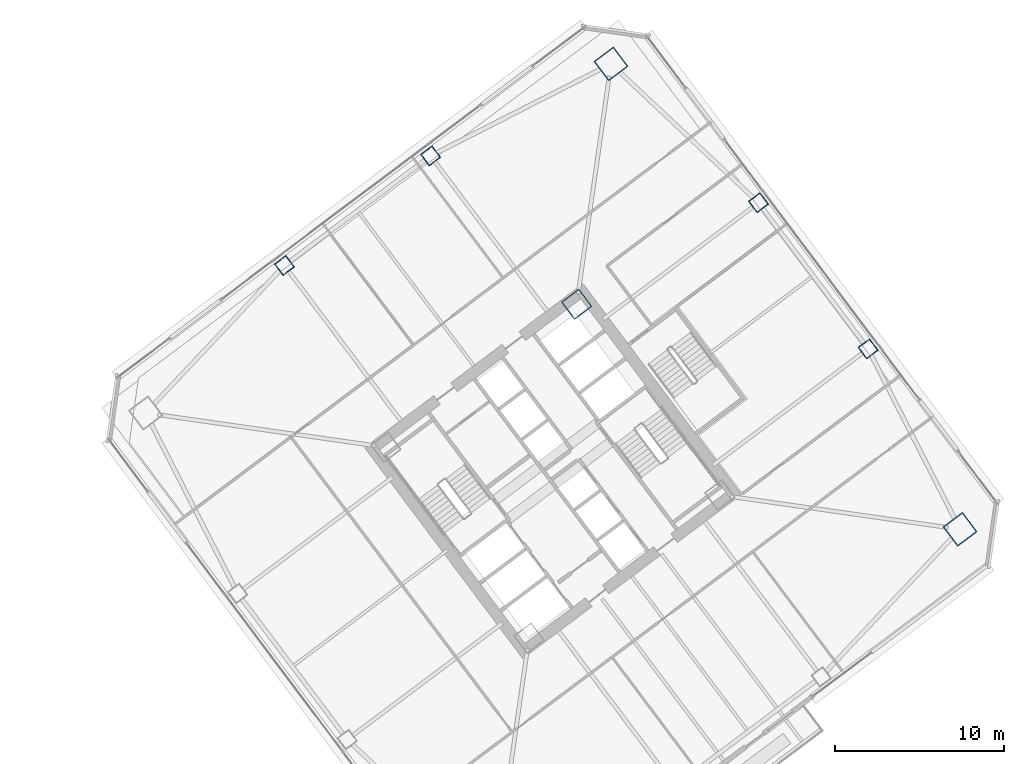
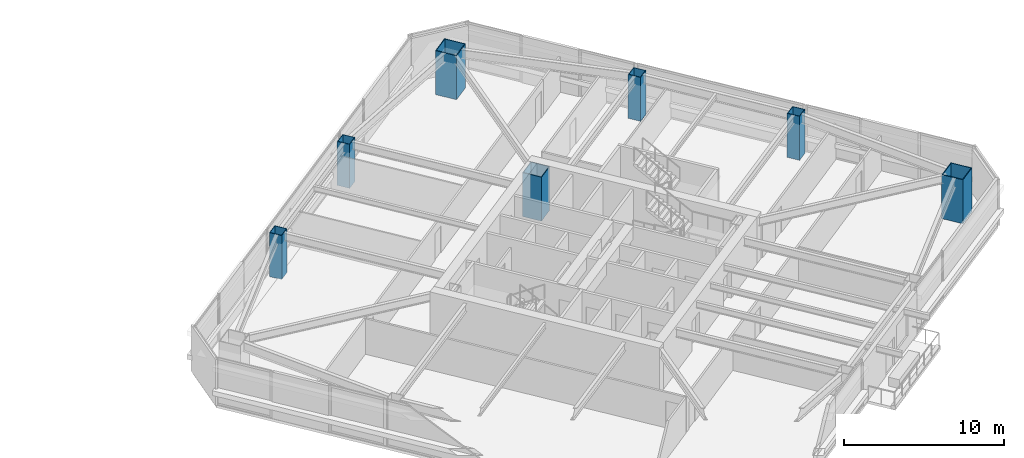
# One storey, part 2 of 48: 7 columns.
"""IFC4 building model written with IfcOpenShell, lengths in metres."""

import ifcopenshell
import ifcopenshell.guid

model = None  # the IFC model being written
_history = None  # IfcOwnerHistory: only IFC2X3 demands one
_inside = {}  # id of a spatial element -> (the spatial element, [elements in it])
_under = {}  # id of a project, library or spatial element -> (it, [spatial elements below it])
_declared = {}  # id of a project -> (the project, [libraries it declares])
_typed = {}  # id of a type object -> (the type object, [elements of that type])
_made_of = {}  # id of a material, layer set ... -> (it, [elements and type objects made of it])


def new_model(schema):
    """Start an empty IFC model of exactly this schema.

    Asked for "IFC4X3", IfcOpenShell would pick the latest addendum, in which some entities
    have other attributes; the version numbers below select the first issue.
    IFC2X3 requires an IfcOwnerHistory on every rooted entity: one is made here for all.
    """
    global model, _history
    if schema == "IFC4X3":
        model = ifcopenshell.file(schema_version=(4, 3, 0, 0))
    else:
        model = ifcopenshell.file(schema=schema)
    _inside.clear()
    _under.clear()
    _declared.clear()
    _typed.clear()
    _made_of.clear()
    _history = None
    if model.schema == "IFC2X3":
        org = make("IfcOrganization", Name="unknown")
        user = make(
            "IfcPersonAndOrganization",
            ThePerson=make("IfcPerson", FamilyName="unknown"),
            TheOrganization=org,
        )
        app = make(
            "IfcApplication",
            ApplicationDeveloper=org,
            Version="unknown",
            ApplicationFullName="unknown",
            ApplicationIdentifier="unknown",
        )
        _history = make(
            "IfcOwnerHistory",
            OwningUser=user,
            OwningApplication=app,
            ChangeAction="ADDED",
            CreationDate=0,
        )
    return model


def make(cls, **values):
    """One entity of the class cls with the attributes given. An attribute that is None is left unset."""
    return model.create_entity(
        cls, **{name: value for name, value in values.items() if value is not None}
    )


def rooted(cls, **values):
    """An entity with a GlobalId (a new one), such as an element, a storey or a relation."""
    return make(cls, GlobalId=ifcopenshell.guid.new(), OwnerHistory=_history, **values)


def si_unit(unit_type, name, prefix=None):
    """IfcSIUnit, for example si_unit("LENGTHUNIT", "METRE", prefix="MILLI")."""
    return make("IfcSIUnit", UnitType=unit_type, Prefix=prefix, Name=name)


def assignment(units):
    """IfcUnitAssignment: the units of a project."""
    return None if units is None else make("IfcUnitAssignment", Units=units)


def point(xyz):
    """IfcCartesianPoint."""
    return None if xyz is None else make("IfcCartesianPoint", Coordinates=xyz)


def direction(xyz):
    """IfcDirection."""
    return None if xyz is None else make("IfcDirection", DirectionRatios=xyz)


def frame(location, z_axis=None, x_axis=None):
    """IfcAxis2Placement3D, a coordinate frame: its origin and axes. An axis left out is left unset."""
    return make(
        "IfcAxis2Placement3D",
        Location=point(location),
        Axis=direction(z_axis),
        RefDirection=direction(x_axis),
    )


def frame_2d(location, x_axis=None):
    """IfcAxis2Placement2D, a coordinate frame in the plane: its origin and x axis."""
    return make(
        "IfcAxis2Placement2D", Location=point(location), RefDirection=direction(x_axis)
    )


def origin():
    """The frame at (0, 0, 0) with its axes left unset."""
    return frame((0.0, 0.0, 0.0))


def origin_2d():
    """The frame at (0, 0) in the plane with its x axis left unset."""
    return frame_2d((0.0, 0.0))


def place(relative_to, where):
    """IfcLocalPlacement: puts the frame where relative to a parent placement (None: the world)."""
    return make(
        "IfcLocalPlacement", PlacementRelTo=relative_to, RelativePlacement=where
    )


def context(
    kind, dimensions, precision=None, world=None, true_north=None, identifier=None
):
    """IfcGeometricRepresentationContext, for example the 3D "Model" context."""
    return make(
        "IfcGeometricRepresentationContext",
        ContextIdentifier=identifier,
        ContextType=kind,
        CoordinateSpaceDimension=dimensions,
        Precision=precision,
        WorldCoordinateSystem=world,
        TrueNorth=true_north,
    )


def subcontext(parent, identifier, kind, view, scale=None):
    """IfcGeometricRepresentationSubContext, for example "Body" below "Model"."""
    return make(
        "IfcGeometricRepresentationSubContext",
        ContextIdentifier=identifier,
        ContextType=kind,
        ParentContext=parent,
        TargetScale=scale,
        TargetView=view,
    )


def project(units=None, contexts=None):
    """IfcProject with its units and contexts."""
    return rooted(
        "IfcProject",
        Name="project",
        RepresentationContexts=contexts,
        UnitsInContext=assignment(units),
    )


def spatial(cls, under=None, at=None, **own):
    """A site, building, storey or space (cls), placed at a placement, below another one or the project."""
    s = rooted(cls, ObjectPlacement=at, **own)
    if under is not None:
        _under.setdefault(under.id(), (under, []))[1].append(s)
    return s


def profile(cls, at=None, kind="AREA", **sizes):
    """A parametric profile (cls). Its sizes go by their IFC names, for example OverallWidth=200.0."""
    return make(cls, ProfileType=kind, Position=at, **sizes)


def hollow_rectangle(**sizes):
    """IfcRectangleHollowProfileDef."""
    return profile("IfcRectangleHollowProfileDef", **sizes)


def extrude(swept, where, along, depth):
    """IfcExtrudedAreaSolid: the profile swept, set in the frame where, extruded along a direction by depth."""
    return make(
        "IfcExtrudedAreaSolid",
        SweptArea=swept,
        Position=where,
        ExtrudedDirection=direction(along),
        Depth=depth,
    )


def shape(context_of_items, identifier, shape_type, items):
    """IfcShapeRepresentation: the items that make up one representation, for example the "Body"."""
    return make(
        "IfcShapeRepresentation",
        ContextOfItems=context_of_items,
        RepresentationIdentifier=identifier,
        RepresentationType=shape_type,
        Items=items,
    )


def material(Name=None, Category=None):
    """IfcMaterial."""
    return make("IfcMaterial", Name=Name, Category=Category)


def material_profile(
    of_material, cross_section, Name=None, Category=None, Priority=None
):
    """IfcMaterialProfile: a cross section and its material."""
    return make(
        "IfcMaterialProfile",
        Name=Name,
        Material=of_material,
        Profile=cross_section,
        Priority=Priority,
        Category=Category,
    )


def profile_set(profiles, Name=None, composite=None):
    """IfcMaterialProfileSet."""
    return make(
        "IfcMaterialProfileSet",
        Name=Name,
        MaterialProfiles=profiles,
        CompositeProfile=composite,
    )


def made_of(thing, what):
    """Note that an element or type object is made of a material, layer set ...; save() writes the relation."""
    if what is not None:
        _made_of.setdefault(what.id(), (what, []))[1].append(thing)
    return thing


def type_object(cls, material=None, **own):
    """A type object (cls), such as IfcWallType, which elements share."""
    return made_of(rooted(cls, **own), material)


def element(
    cls,
    number,
    at=None,
    inside=None,
    cuts=None,
    type_object=None,
    material=None,
    context=None,
    identifier="Body",
    shape_type=None,
    held_by="IfcProductDefinitionShape",
    body=None,
    shapes=None,
    **own,
):
    """One element of the class cls, such as IfcWall. Its Tag is "e" and its number.

    at: its placement. inside: the storey or other place that contains it. cuts: it is an
    opening in that element (IfcRelVoidsElement). A single representation is given by context,
    identifier, shape_type and body (its items); several are given by shapes. held_by: the class
    of the entity that holds the representations. save() writes the other relations.
    """
    e = rooted(cls, Tag="e%d" % number, ObjectPlacement=at, **own)
    if body is not None:
        shapes = [shape(context, identifier, shape_type, body)]
    if shapes is not None:
        e.Representation = make(held_by, Representations=shapes)
    if inside is not None:
        _inside.setdefault(inside.id(), (inside, []))[1].append(e)
    if cuts is not None:
        rooted(
            "IfcRelVoidsElement", RelatingBuildingElement=cuts, RelatedOpeningElement=e
        )
    if type_object is not None:
        _typed.setdefault(type_object.id(), (type_object, []))[1].append(e)
    return made_of(e, material)


def aggregate(whole, parts):
    """IfcRelAggregates: a whole, such as a stair, and the parts it consists of."""
    return rooted("IfcRelAggregates", RelatingObject=whole, RelatedObjects=parts)


def save(model, path):
    """Write the relations noted so far, then the file.

    IfcRelAggregates (storeys below a building ...), IfcRelContainedInSpatialStructure (elements
    in a storey), IfcRelDefinesByType, IfcRelAssociatesMaterial and IfcRelDeclares: one each for
    every whole, place, type object, material and project.
    """
    for whole, parts in _under.values():
        aggregate(whole, parts)
    for where, things in _inside.values():
        rooted(
            "IfcRelContainedInSpatialStructure",
            RelatedElements=things,
            RelatingStructure=where,
        )
    for kind, things in _typed.values():
        rooted("IfcRelDefinesByType", RelatedObjects=things, RelatingType=kind)
    for what, things in _made_of.values():
        rooted("IfcRelAssociatesMaterial", RelatedObjects=things, RelatingMaterial=what)
    for by, libraries in _declared.values():
        rooted("IfcRelDeclares", RelatingContext=by, RelatedDefinitions=libraries)
    model.write(path)


model = new_model("IFC4")

# Units and contexts
model_context = context("Model", 3, precision=1e-05, world=origin(), true_north=direction((0.0, 1.0)))
body_context = subcontext(model_context, "Body", "Model", "MODEL_VIEW")
ifc_project = project(units=[si_unit("LENGTHUNIT", "METRE"), si_unit("AREAUNIT", "SQUARE_METRE"), si_unit("VOLUMEUNIT", "CUBIC_METRE"), si_unit("PLANEANGLEUNIT", "RADIAN"), si_unit("MASSUNIT", "GRAM", prefix="KILO")], contexts=[model_context])

# Site, building, storey
site_placement = place(None, origin())
site = spatial("IfcSite", under=ifc_project, at=site_placement, CompositionType="ELEMENT")
building_placement = place(site_placement, origin())
building = spatial("IfcBuilding", under=site, at=building_placement, Name="Tashvorn Skyway Center", CompositionType="ELEMENT")
storey_placement = place(building_placement, frame((0.0, 0.0, 77.85009765625)))
storey = spatial("IfcBuildingStorey", under=building, at=storey_placement, Name="L20", CompositionType="ELEMENT", Elevation=77.85009765625)

# Columns
ifc_material = material(Name="Steel ASTM A572 Grade 50", Category="steel")
ifc_material_profile_1 = material_profile(ifc_material, hollow_rectangle(XDim=1.300048828125, YDim=1.300048828125, WallThickness=0.050048828125, at=origin_2d()), Name="BOX1300x1300x50")
ifc_profile_set_1 = profile_set([ifc_material_profile_1], Name="Steel ASTM A572 Grade 50")
column_type_1 = type_object("IfcColumnType", Name="COL-BOX1300x1300x50", PredefinedType="COLUMN", material=ifc_profile_set_1)
column_placement = place(storey_placement, frame((115.409912109375, 41.8701171875, 0.0), z_axis=(0.0, 0.0, 1.0), x_axis=(0.799999996291, 0.600000004945, 0.0)))
element("IfcColumn", 1, at=column_placement, inside=storey, type_object=column_type_1, Name="Tower 2 L20 Core Corner Column CC-NE", PredefinedType="COLUMN", context=body_context, shape_type="SweptSolid", body=[
    extrude(hollow_rectangle(XDim=1.300048828125, YDim=1.300048828125, WallThickness=0.050048828125, at=origin_2d()), origin(), (0.0, 0.0, 1.0), 3.349853515625),
])
ifc_material_profile_2 = material_profile(ifc_material, hollow_rectangle(XDim=1.449951171875, YDim=1.449951171875, WallThickness=0.054931640625, at=origin_2d()), Name="BOX1450x1450x55")
ifc_profile_set_2 = profile_set([ifc_material_profile_2], Name="Steel ASTM A572 Grade 50")
column_type_2 = type_object("IfcColumnType", Name="COL-BOX1450x1450x55", PredefinedType="COLUMN", material=ifc_profile_set_2)
for number, where, z_axis, x_axis, name in (
    (2, (138.080078125, 28.56005859375, 0.0), (0.0, 0.0, 1.0), (0.799999996291, 0.600000004945, 0.0), "Tower 2 L20 Mega-Column MC-SE"),
    (3, (117.43994140625, 56.080078125, 0.0), (0.0, 0.0, 1.0), (0.799999996291, 0.600000004945, 0.0), "Tower 2 L20 Mega-Column MC-NE"),
):
    element("IfcColumn", number, at=place(storey_placement, frame(where, z_axis=z_axis, x_axis=x_axis)), inside=storey, type_object=column_type_2, Name=name, PredefinedType="COLUMN", context=body_context, shape_type="SweptSolid", body=[
        extrude(hollow_rectangle(XDim=1.449951171875, YDim=1.449951171875, WallThickness=0.054931640625, at=origin_2d()), origin(), (0.0, 0.0, 1.0), 3.349853515625),
    ])
ifc_material_profile_3 = material_profile(ifc_material, hollow_rectangle(XDim=0.85009765625, YDim=0.85009765625, WallThickness=0.034912109375, at=origin_2d()), Name="BOX850x850x35")
ifc_profile_set_3 = profile_set([ifc_material_profile_3], Name="Steel ASTM A572 Grade 50")
column_type_3 = type_object("IfcColumnType", Name="COL-BOX850x850x35", PredefinedType="COLUMN", material=ifc_profile_set_3)
for number, where, z_axis, x_axis, name in (
    (4, (132.639892578125, 39.22998046875, 0.0), (0.0, 0.0, 1.0), (0.799999996291, 0.600000004945, 0.0), "Tower 2 L20 Perimeter Column FC-E1"),
    (5, (126.159912109375, 47.8701171875, 0.0), (0.0, 0.0, 1.0), (0.799999996291, 0.600000004945, 0.0), "Tower 2 L20 Perimeter Column FC-E2"),
    (6, (106.77001953125, 50.639892578125, 0.0), (0.0, 0.0, 1.0), (0.799999996291, 0.600000004945, 0.0), "Tower 2 L20 Perimeter Column FC-N1"),
    (7, (98.1298828125, 44.159912109375, 0.0), (0.0, 0.0, 1.0), (0.799999996291, 0.600000004945, 0.0), "Tower 2 L20 Perimeter Column FC-N2"),
):
    element("IfcColumn", number, at=place(storey_placement, frame(where, z_axis=z_axis, x_axis=x_axis)), inside=storey, type_object=column_type_3, Name=name, PredefinedType="COLUMN", context=body_context, shape_type="SweptSolid", body=[
        extrude(hollow_rectangle(XDim=0.85009765625, YDim=0.85009765625, WallThickness=0.034912109375, at=origin_2d()), origin(), (0.0, 0.0, 1.0), 3.349853515625),
    ])

save(model, "model.ifc")
